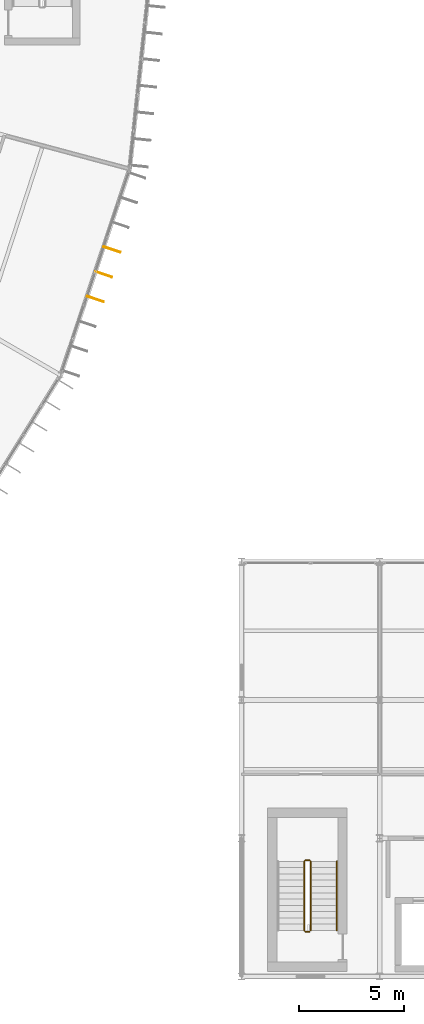
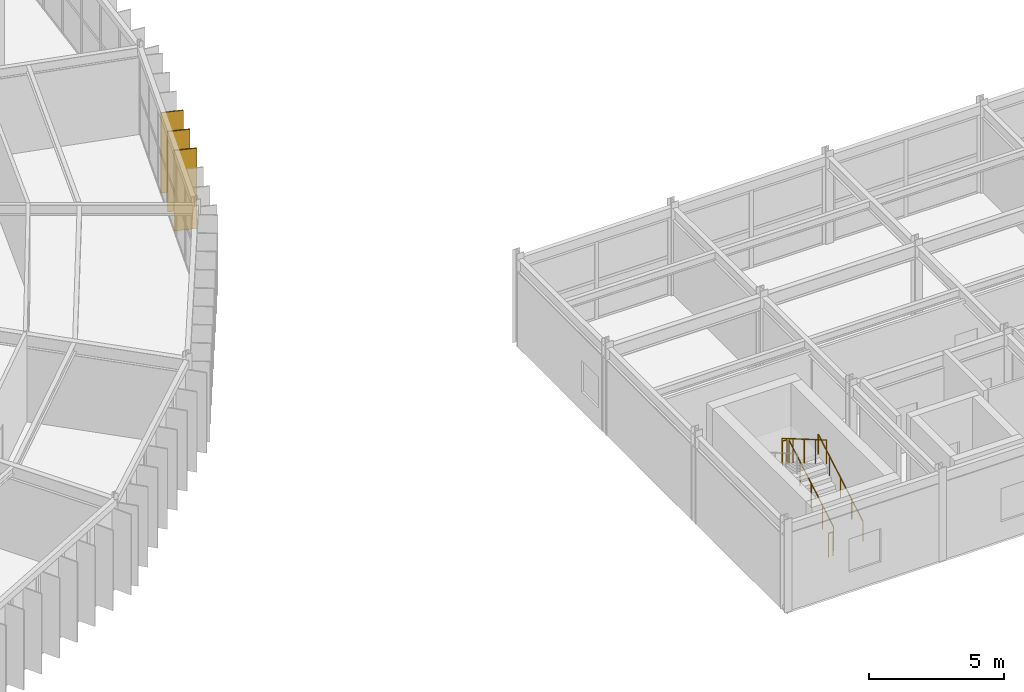
# One storey, part 128 of 134: 5 railings, 3 shading devices.
"""IFC4 building model written with IfcOpenShell, lengths in metres."""

from ifc_helpers import new_model, si_unit, direction, frame, origin, origin_2d, place, context, subcontext, project, spatial, rectangle, circle, extrude, material, layer, layer_set, type_object, element, save


model = new_model("IFC4")

# Units and contexts
model_context = context("Model", 3, precision=1e-05, world=origin(), true_north=direction((0.0, 1.0)))
body_context = subcontext(model_context, "Body", "Model", "MODEL_VIEW")
ifc_project = project(units=[si_unit("LENGTHUNIT", "METRE"), si_unit("AREAUNIT", "SQUARE_METRE"), si_unit("VOLUMEUNIT", "CUBIC_METRE"), si_unit("PLANEANGLEUNIT", "RADIAN"), si_unit("MASSUNIT", "GRAM", prefix="KILO")], contexts=[model_context])

# Site, building, storey
site_placement = place(None, origin())
site = spatial("IfcSite", under=ifc_project, at=site_placement, CompositionType="ELEMENT")
building_placement = place(site_placement, origin())
building = spatial("IfcBuilding", under=site, at=building_placement, Name="Karori Crest Natural Sciences Institute", CompositionType="ELEMENT")
storey_placement = place(building_placement, frame((0.0, 0.0, 21.699951171875)))
storey = spatial("IfcBuildingStorey", under=building, at=storey_placement, Name="L05", CompositionType="ELEMENT", Elevation=21.699951171875)

# Railings
ifc_material_1 = material(Name="Stainless steel 316 tubular handrail", Category="steel")
railing_type_1 = type_object("IfcRailingType", Name="RLT-HND", PredefinedType="HANDRAIL", material=ifc_material_1)
railing_1_placement = place(storey_placement, frame((108.14990234375, 3.0, 0.175048828125)))
element("IfcRailing", 1, at=railing_1_placement, inside=storey, type_object=railing_type_1, Name="Stair handrail RL-0133", PredefinedType="HANDRAIL", context=body_context, shape_type="SweptSolid", body=[
    extrude(circle(Radius=0.02392578125, at=origin_2d()), frame((0.0, 0.0, 0.90087890625), z_axis=(0.0, 0.863776583165, 0.503874998761), x_axis=(-1.0, 0.0, 0.0)), (0.0, 0.0, 1.0), 3.820556640625),
    extrude(circle(Radius=0.02099609375, at=origin_2d()), origin(), (0.0, 0.0, 1.0), 0.876953125),
    extrude(circle(Radius=0.02099609375, at=origin_2d()), frame((0.0, 0.824951171875, 0.481201171875)), (0.0, 0.0, 1.0), 0.876953125),
    extrude(circle(Radius=0.02099609375, at=origin_2d()), frame((0.0, 1.64990234375, 0.96240234375)), (0.0, 0.0, 1.0), 0.876953125),
    extrude(circle(Radius=0.02099609375, at=origin_2d()), frame((0.0, 2.47509765625, 1.44384765625)), (0.0, 0.0, 1.0), 0.876953125),
    extrude(circle(Radius=0.02099609375, at=origin_2d()), frame((0.0, 3.300048828125, 1.925048828125)), (0.0, 0.0, 1.0), 0.876953125),
])
ifc_material_2 = material(Name="Stainless steel 316 stair guard", Category="steel")
railing_type_2 = type_object("IfcRailingType", Name="RLT-STG", PredefinedType="GUARDRAIL", material=ifc_material_2)
railing_2_placement = place(storey_placement, frame((106.89990234375, 3.0, 0.175048828125)))
element("IfcRailing", 2, at=railing_2_placement, inside=storey, type_object=railing_type_2, Name="Stair guard RL-0129", PredefinedType="GUARDRAIL", context=body_context, shape_type="SweptSolid", body=[
    extrude(circle(Radius=0.02392578125, at=origin_2d()), frame((0.0, 0.0, 1.076171875), z_axis=(0.0, 0.863776583165, 0.503874998761), x_axis=(-1.0, 0.0, 0.0)), (0.0, 0.0, 1.0), 3.820556640625),
    extrude(circle(Radius=0.02099609375, at=origin_2d()), origin(), (0.0, 0.0, 1.0), 1.052001953125),
    extrude(circle(Radius=0.02099609375, at=origin_2d()), frame((0.0, 0.824951171875, 0.481201171875)), (0.0, 0.0, 1.0), 1.052001953125),
    extrude(circle(Radius=0.02099609375, at=origin_2d()), frame((0.0, 1.64990234375, 0.96240234375)), (0.0, 0.0, 1.0), 1.052001953125),
    extrude(circle(Radius=0.02099609375, at=origin_2d()), frame((0.0, 2.47509765625, 1.44384765625)), (0.0, 0.0, 1.0), 1.052001953125),
    extrude(circle(Radius=0.02099609375, at=origin_2d()), frame((0.0, 3.300048828125, 1.925048828125)), (0.0, 0.0, 1.0), 1.052001953125),
])
railing_3_placement = place(storey_placement, frame((106.85009765625, 6.35009765625, 2.10009765625)))
element("IfcRailing", 3, at=railing_3_placement, inside=storey, type_object=railing_type_2, Name="Stair guard RL-0130", PredefinedType="GUARDRAIL", context=body_context, shape_type="SweptSolid", body=[
    extrude(circle(Radius=0.02392578125, at=origin_2d()), frame((0.0, 0.0, 1.076171875), z_axis=(-1.0, 0.0, 0.0), x_axis=(0.0, -1.0, 0.0)), (0.0, 0.0, 1.0), 0.2001953125),
    extrude(circle(Radius=0.02099609375, at=origin_2d()), origin(), (0.0, 0.0, 1.0), 1.052001953125),
    extrude(circle(Radius=0.02099609375, at=origin_2d()), frame((-0.2001953125, 0.0, 0.0)), (0.0, 0.0, 1.0), 1.052001953125),
])
railing_4_placement = place(storey_placement, frame((106.60009765625, 6.300048828125, 2.275146484375)))
element("IfcRailing", 4, at=railing_4_placement, inside=storey, type_object=railing_type_2, Name="Stair guard RL-0131", PredefinedType="GUARDRAIL", context=body_context, shape_type="SweptSolid", body=[
    extrude(circle(Radius=0.02392578125, at=origin_2d()), frame((0.0, 0.0, 1.076171875), z_axis=(0.0, -0.863804395585, 0.503827317807), x_axis=(1.0, 0.0, 0.0)), (0.0, 0.0, 1.0), 3.8203125),
    extrude(circle(Radius=0.02099609375, at=origin_2d()), origin(), (0.0, 0.0, 1.0), 1.052001953125),
    extrude(circle(Radius=0.02099609375, at=origin_2d()), frame((0.0, -0.824951171875, 0.481201171875)), (0.0, 0.0, 1.0), 1.052001953125),
    extrude(circle(Radius=0.02099609375, at=origin_2d()), frame((0.0, -1.64990234375, 0.96240234375)), (0.0, 0.0, 1.0), 1.052001953125),
    extrude(circle(Radius=0.02099609375, at=origin_2d()), frame((0.0, -2.47509765625, 1.443603515625)), (0.0, 0.0, 1.0), 1.052001953125),
    extrude(circle(Radius=0.02099609375, at=origin_2d()), frame((0.0, -3.300048828125, 1.9248046875)), (0.0, 0.0, 1.0), 1.052001953125),
])
railing_5_placement = place(storey_placement, frame((106.85009765625, 2.949951171875, 0.0)))
element("IfcRailing", 5, at=railing_5_placement, inside=storey, type_object=railing_type_2, Name="Stair guard RL-0132", PredefinedType="GUARDRAIL", context=body_context, shape_type="SweptSolid", body=[
    extrude(circle(Radius=0.02392578125, at=origin_2d()), frame((0.0, 0.0, 1.076171875), z_axis=(-1.0, 0.0, 0.0), x_axis=(0.0, -1.0, 0.0)), (0.0, 0.0, 1.0), 0.2001953125),
    extrude(circle(Radius=0.02099609375, at=origin_2d()), origin(), (0.0, 0.0, 1.0), 1.052001953125),
    extrude(circle(Radius=0.02099609375, at=origin_2d()), frame((-0.2001953125, 0.0, 0.0)), (0.0, 0.0, 1.0), 1.052001953125),
])

# Shading devices
ifc_material_3 = material(Name="Anodised architectural aluminium 6063-T6", Category="aluminium")
ifc_layer = layer(ifc_material_3, 0.044921875, Name="Anodised architectural aluminium 6063-T6")
ifc_layer_set = layer_set([ifc_layer], Name="Anodised architectural aluminium 6063-T6")
shading_device_type = type_object("IfcShadingDeviceType", Name="SDT-FIN", PredefinedType="USERDEFINED", material=ifc_layer_set)
for number, where, z_axis, x_axis, name in (
    (6, (97.419189453125, 35.49365234375, 0.0), (0.0, 0.0, 1.0), (0.948197867933, -0.317680347595, 0.0), "Vertical solar fin FN-1006"),
    (7, (97.023681640625, 34.31298828125, 0.0), (0.0, 0.0, 1.0), (0.948197867933, -0.317680347595, 0.0), "Vertical solar fin FN-1007"),
    (8, (96.628173828125, 33.132080078125, 0.0), (0.0, 0.0, 1.0), (0.948197867933, -0.317680347595, 0.0), "Vertical solar fin FN-1008"),
):
    element("IfcShadingDevice", number, at=place(storey_placement, frame(where, z_axis=z_axis, x_axis=x_axis)), inside=storey, type_object=shading_device_type, Name=name, ObjectType="SOLAR_FIN", PredefinedType="USERDEFINED", context=body_context, shape_type="SweptSolid", body=[
        extrude(rectangle(XDim=0.85009765625, YDim=0.044921875, at=origin_2d()), origin(), (0.0, 0.0, 1.0), 3.625),
    ])

save(model, "model.ifc")
